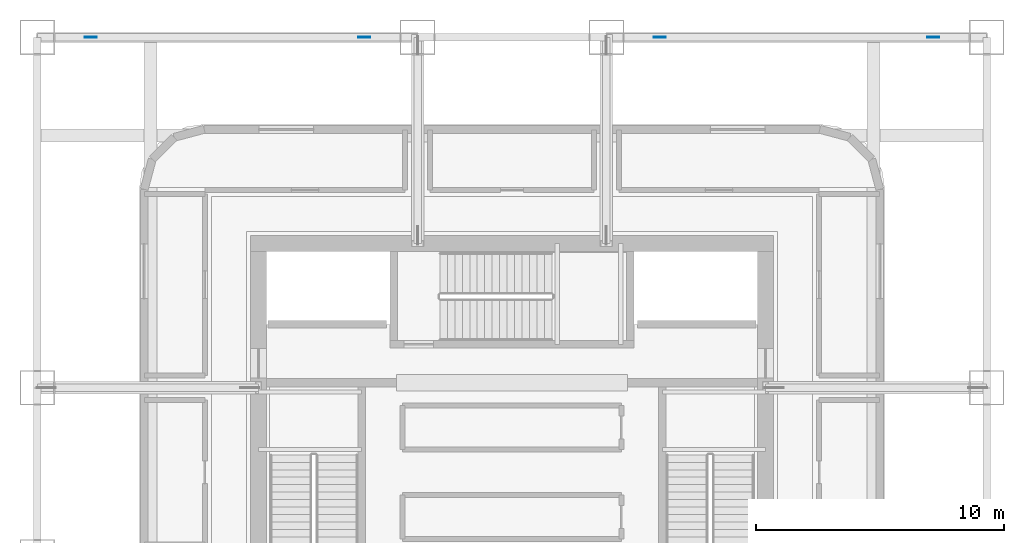
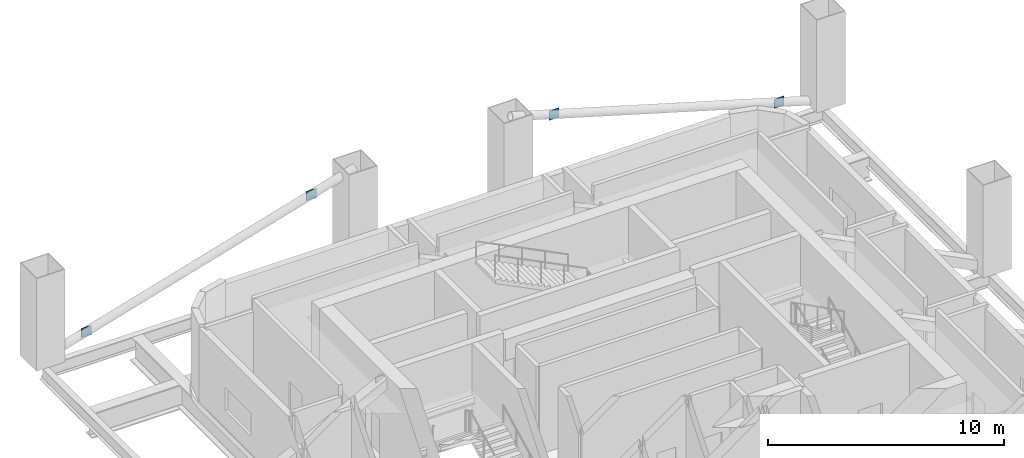
# One storey, part 3 of 9: 4 plates.
"""IFC4 building model written with IfcOpenShell, lengths in metres."""

from ifc_helpers import new_model, si_unit, direction, frame, origin, origin_2d, place, context, subcontext, project, spatial, rectangle, extrude, material, layer, layer_set, type_object, element, save


model = new_model("IFC4")

# Units and contexts
model_context = context("Model", 3, precision=1e-05, world=origin(), true_north=direction((0.0, 1.0)))
body_context = subcontext(model_context, "Body", "Model", "MODEL_VIEW")
ifc_project = project(units=[si_unit("LENGTHUNIT", "METRE"), si_unit("AREAUNIT", "SQUARE_METRE"), si_unit("VOLUMEUNIT", "CUBIC_METRE"), si_unit("PLANEANGLEUNIT", "RADIAN"), si_unit("MASSUNIT", "GRAM", prefix="KILO")], contexts=[model_context])

# Site, building, storey
site_placement = place(None, origin())
site = spatial("IfcSite", under=ifc_project, at=site_placement, CompositionType="ELEMENT")
building_placement = place(site_placement, origin())
building = spatial("IfcBuilding", under=site, at=building_placement, Name="Punatoya Terracotta Tower", CompositionType="ELEMENT")
storey_placement = place(building_placement, frame((0.0, 0.0, 130.199951171875)))
storey = spatial("IfcBuildingStorey", under=building, at=storey_placement, Name="L30", CompositionType="ELEMENT", Elevation=130.199951171875)

# Plates
ifc_material = material(Name="Steel S460", Category="steel")
ifc_layer = layer(ifc_material, 0.031982421875)
ifc_layer_set = layer_set([ifc_layer], Name="Steel S460")
plate_type = type_object("IfcPlateType", Name="PLT-END-32", PredefinedType="USERDEFINED", material=ifc_layer_set)
for number, where, z_axis, x_axis, name in (
    (1, (-16.9580078125, 17.5, 0.41015625), (0.0, 0.0, 1.0), (1.0, 0.0, 0.0), "L30 Ring Strut NST-3 End Plate 1"),
    (2, (-5.94189453125, 17.5, 3.650146484375), (0.0, 0.0, 1.0), (1.0, 0.0, 0.0), "L30 Ring Strut NST-3 End Plate 2"),
    (3, (5.94189453125, 17.5, 3.650146484375), (0.0, 0.0, 1.0), (1.0, 0.0, 0.0), "L30 Ring Strut NST-4 End Plate 1"),
    (4, (16.9580078125, 17.5, 0.41015625), (0.0, 0.0, 1.0), (1.0, 0.0, 0.0), "L30 Ring Strut NST-4 End Plate 2"),
):
    element("IfcPlate", number, at=place(storey_placement, frame(where, z_axis=z_axis, x_axis=x_axis)), inside=storey, type_object=plate_type, Name=name, ObjectType="FLANGE_PLATE", PredefinedType="USERDEFINED", context=body_context, shape_type="SweptSolid", body=[
        extrude(rectangle(XDim=0.47998046875, YDim=0.031982421875, at=origin_2d()), origin(), (0.0, 0.0, 1.0), 0.47998046875),
    ])

save(model, "model.ifc")
